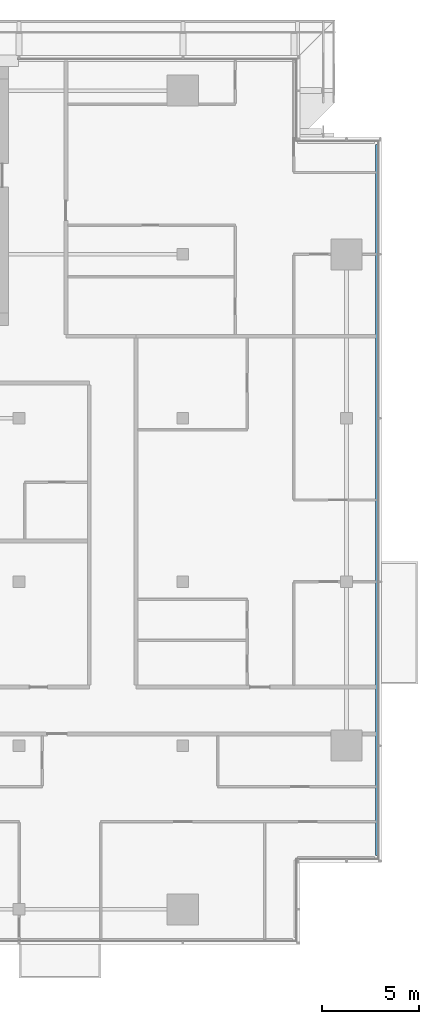
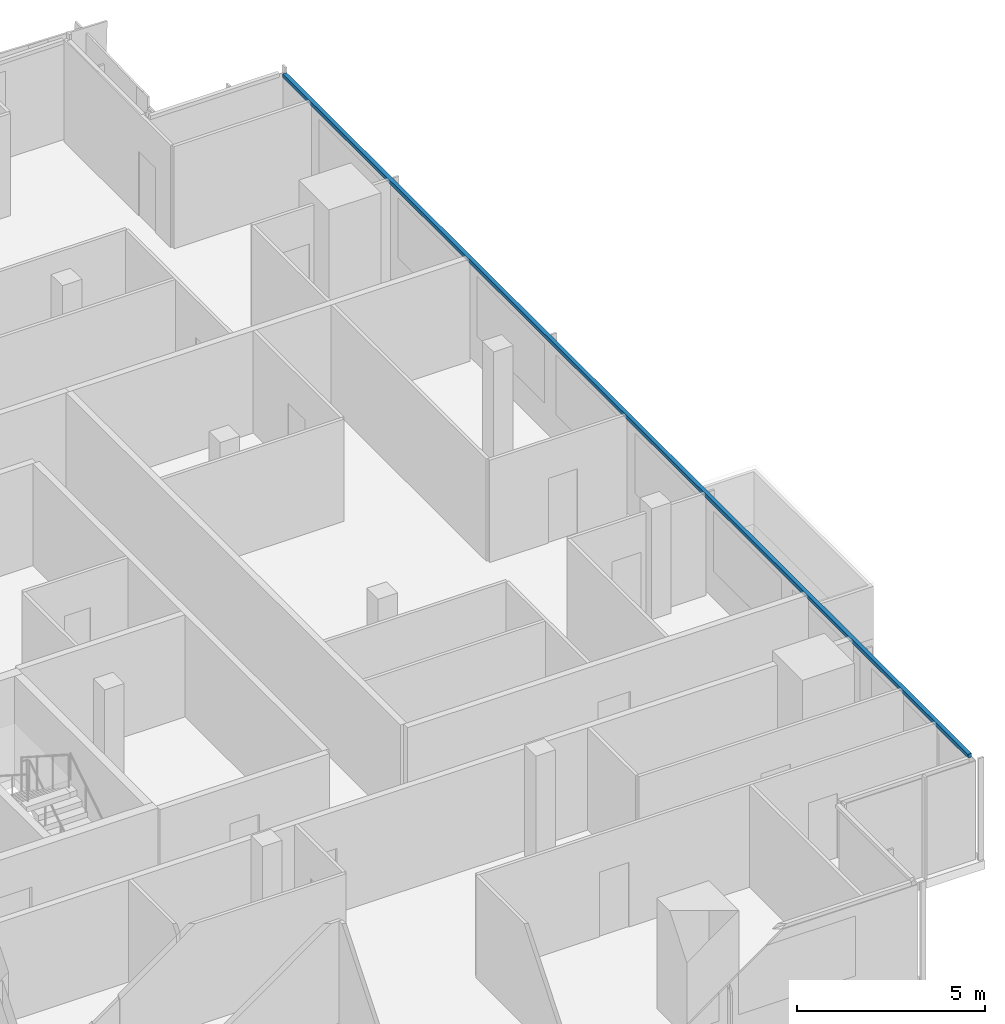
# One storey, part 12 of 29: 1 member, 1 element without a shape of its own.
"""IFC4 building model written with IfcOpenShell, lengths in metres."""

from ifc_helpers import new_model, si_unit, direction, frame, origin, origin_2d, place, context, subcontext, project, spatial, rectangle, extrude, material, material_profile, profile_set, type_object, element, aggregate, save


model = new_model("IFC4")

# Units and contexts
model_context = context("Model", 3, precision=1e-05, world=origin(), true_north=direction((0.0, 1.0)))
body_context = subcontext(model_context, "Body", "Model", "MODEL_VIEW")
ifc_project = project(units=[si_unit("LENGTHUNIT", "METRE"), si_unit("AREAUNIT", "SQUARE_METRE"), si_unit("VOLUMEUNIT", "CUBIC_METRE"), si_unit("PLANEANGLEUNIT", "RADIAN"), si_unit("MASSUNIT", "GRAM", prefix="KILO")], contexts=[model_context])

# Site, building, storey
site_placement = place(None, origin())
site = spatial("IfcSite", under=ifc_project, at=site_placement, CompositionType="ELEMENT")
building_placement = place(site_placement, origin())
building = spatial("IfcBuilding", under=site, at=building_placement, Name="Saffron Gate Tower", CompositionType="ELEMENT")
storey_placement = place(building_placement, frame((0.0, 0.0, 227.10009765625)))
storey = spatial("IfcBuildingStorey", under=building, at=storey_placement, Name="L55", CompositionType="ELEMENT", Elevation=227.10009765625)

# Curtain wall, member
ifc_material = material(Name="Aluminium, bronze anodised", Category="aluminium")
curtain_wall_type = type_object("IfcCurtainWallType", Name="CWS2 curtain wall side facades", PredefinedType="NOTDEFINED", material=ifc_material)
curtain_wall_placement = place(storey_placement, origin())
curtain_wall = element("IfcCurtainWall", 1, at=curtain_wall_placement, inside=storey, type_object=curtain_wall_type, Name="CWS2 run 4", PredefinedType="NOTDEFINED")
ifc_material_profile = material_profile(ifc_material, rectangle(XDim=0.1201171875, YDim=0.1201171875, at=origin_2d()))
ifc_profile_set = profile_set([ifc_material_profile], Name="Aluminium, bronze anodised")
member_type = type_object("IfcMemberType", Name="CWS2 head transom", PredefinedType="USERDEFINED", material=ifc_profile_set)
member_placement = place(storey_placement, frame((126.951904296875, 34.568115234375, 3.260009765625), z_axis=(0.0, 1.0, 0.0), x_axis=(-1.0, 0.0, 0.0)))
member = element("IfcMember", 2, at=member_placement, type_object=member_type, Name="CWS2 head transom", ObjectType="TRANSOM", PredefinedType="USERDEFINED", context=body_context, shape_type="SweptSolid", body=[
    extrude(rectangle(XDim=0.1201171875, YDim=0.1201171875, at=origin_2d()), origin(), (0.0, 0.0, 1.0), 36.4638671875),
])
aggregate(curtain_wall, [member])

save(model, "model.ifc")
